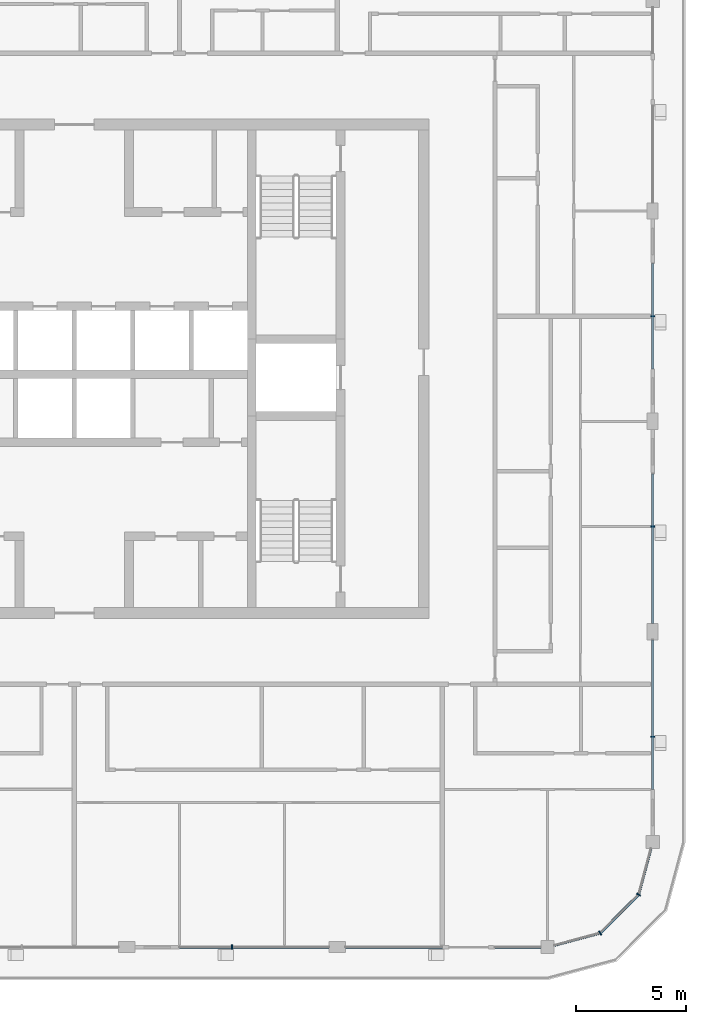
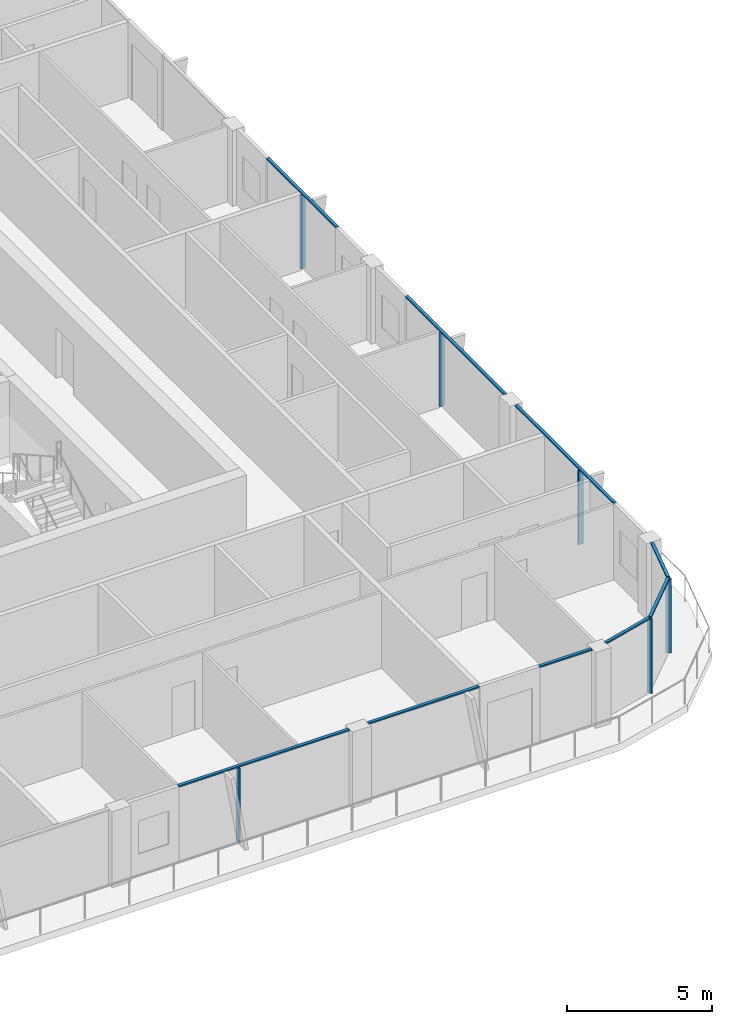
# One storey, part 4 of 21: 15 members, 6 elements without a shape of their own.
"""IFC4 building model written with IfcOpenShell, lengths in metres."""

from ifc_helpers import new_model, si_unit, direction, frame, origin, origin_2d, place, context, subcontext, project, spatial, rectangle, extrude, material, layer, layer_set, material_profile, profile_set, type_object, element, aggregate, save


model = new_model("IFC4")

# Units and contexts
model_context = context("Model", 3, precision=1e-05, world=origin(), true_north=direction((0.0, 1.0)))
body_context = subcontext(model_context, "Body", "Model", "MODEL_VIEW")
ifc_project = project(units=[si_unit("LENGTHUNIT", "METRE"), si_unit("AREAUNIT", "SQUARE_METRE"), si_unit("VOLUMEUNIT", "CUBIC_METRE"), si_unit("PLANEANGLEUNIT", "RADIAN"), si_unit("MASSUNIT", "GRAM", prefix="KILO")], contexts=[model_context])

# Site, building, storey
site_placement = place(None, origin())
site = spatial("IfcSite", under=ifc_project, at=site_placement, CompositionType="ELEMENT")
building_placement = place(site_placement, origin())
building = spatial("IfcBuilding", under=site, at=building_placement, Name="Madar Terraces", CompositionType="ELEMENT")
storey_placement = place(building_placement, frame((0.0, 0.0, 272.10009765625)))
storey = spatial("IfcBuildingStorey", under=building, at=storey_placement, Name="L71", CompositionType="ELEMENT", Elevation=272.10009765625)

# Curtain wall, member
ifc_material_1 = material(Name="Glass, ceramic frit dark grey, with black aluminium frame", Category="aluminium")
ifc_layer = layer(ifc_material_1, 0.199951171875)
ifc_layer_set = layer_set([ifc_layer], Name="Facade curtain wall, fritted glass")
curtain_wall_type = type_object("IfcCurtainWallType", Name="Facade curtain wall, fritted glass", PredefinedType="NOTDEFINED", material=ifc_layer_set)
curtain_wall_1_placement = place(storey_placement, origin())
curtain_wall_1 = element("IfcCurtainWall", 1, at=curtain_wall_1_placement, inside=storey, type_object=curtain_wall_type, Name="Outer skin curtain wall south bay 4", PredefinedType="NOTDEFINED")
ifc_material_2 = material(Name="Aluminium, black anodised", Category="aluminium")
ifc_material_profile_1 = material_profile(ifc_material_2, rectangle(XDim=0.199951171875, YDim=0.06005859375, at=origin_2d()), Name="Facade mullion 60x200")
ifc_profile_set_1 = profile_set([ifc_material_profile_1], Name="Aluminium, black anodised")
member_type_1 = type_object("IfcMemberType", Name="Facade mullion 60x200", PredefinedType="MULLION", material=ifc_profile_set_1)
member_1_placement = place(storey_placement, frame((38.39990234375, 0.0, 0.0), z_axis=(0.0, 0.0, 1.0), x_axis=(0.0, 1.0, 0.0)))
member_1 = element("IfcMember", 2, at=member_1_placement, type_object=member_type_1, Name="Mullion 1", PredefinedType="MULLION", context=body_context, shape_type="SweptSolid", body=[
    extrude(rectangle(XDim=0.199951171875, YDim=0.06005859375, at=origin_2d()), origin(), (0.0, 0.0, 1.0), 3.139892578125),
])

curtain_wall_2_placement = place(storey_placement, origin())
curtain_wall_2 = element("IfcCurtainWall", 3, at=curtain_wall_2_placement, inside=storey, type_object=curtain_wall_type, Name="Outer skin curtain wall east bay 1", PredefinedType="NOTDEFINED")
member_2_placement = place(storey_placement, frame((57.60009765625, 9.60009765625, 0.0), z_axis=(0.0, 0.0, 1.0), x_axis=(-1.0, 0.0, 0.0)))
member_2 = element("IfcMember", 4, at=member_2_placement, type_object=member_type_1, Name="Mullion 1", PredefinedType="MULLION", context=body_context, shape_type="SweptSolid", body=[
    extrude(rectangle(XDim=0.199951171875, YDim=0.06005859375, at=origin_2d()), origin(), (0.0, 0.0, 1.0), 3.139892578125),
])

curtain_wall_3_placement = place(storey_placement, origin())
curtain_wall_3 = element("IfcCurtainWall", 5, at=curtain_wall_3_placement, inside=storey, type_object=curtain_wall_type, Name="Outer skin curtain wall east bay 2", PredefinedType="NOTDEFINED")
member_3_placement = place(storey_placement, frame((57.60009765625, 19.199951171875, 0.0), z_axis=(0.0, 0.0, 1.0), x_axis=(-1.0, 0.0, 0.0)))
member_3 = element("IfcMember", 6, at=member_3_placement, type_object=member_type_1, Name="Mullion 1", PredefinedType="MULLION", context=body_context, shape_type="SweptSolid", body=[
    extrude(rectangle(XDim=0.199951171875, YDim=0.06005859375, at=origin_2d()), origin(), (0.0, 0.0, 1.0), 3.139892578125),
])

curtain_wall_4_placement = place(storey_placement, origin())
curtain_wall_4 = element("IfcCurtainWall", 7, at=curtain_wall_4_placement, inside=storey, type_object=curtain_wall_type, Name="Outer skin curtain wall east bay 3", PredefinedType="NOTDEFINED")
member_4_placement = place(storey_placement, frame((57.60009765625, 28.800048828125, 0.0), z_axis=(0.0, 0.0, 1.0), x_axis=(-1.0, 0.0, 0.0)))
member_4 = element("IfcMember", 8, at=member_4_placement, type_object=member_type_1, Name="Mullion 1", PredefinedType="MULLION", context=body_context, shape_type="SweptSolid", body=[
    extrude(rectangle(XDim=0.199951171875, YDim=0.06005859375, at=origin_2d()), origin(), (0.0, 0.0, 1.0), 3.139892578125),
])

# Curtain wall, members
curtain_wall_5_placement = place(storey_placement, origin())
curtain_wall_5 = element("IfcCurtainWall", 9, at=curtain_wall_5_placement, inside=storey, type_object=curtain_wall_type, Name="Outer skin curtain wall south-east corner", PredefinedType="NOTDEFINED")
member_5_placement = place(storey_placement, frame((55.199951171875, 0.64306640625, 0.0), z_axis=(0.0, 0.0, 1.0), x_axis=(-0.499999989586, 0.866025409797, 0.0)))
member_5 = element("IfcMember", 10, at=member_5_placement, type_object=member_type_1, Name="Mullion 1", PredefinedType="MULLION", context=body_context, shape_type="SweptSolid", body=[
    extrude(rectangle(XDim=0.199951171875, YDim=0.06005859375, at=origin_2d()), origin(), (0.0, 0.0, 1.0), 3.139892578125),
])
member_6_placement = place(storey_placement, frame((56.95703125, 2.39990234375, 0.0), z_axis=(0.0, 0.0, 1.0), x_axis=(-0.866025409797, 0.499999989586, 0.0)))
member_6 = element("IfcMember", 11, at=member_6_placement, type_object=member_type_1, Name="Mullion 2", PredefinedType="MULLION", context=body_context, shape_type="SweptSolid", body=[
    extrude(rectangle(XDim=0.199951171875, YDim=0.06005859375, at=origin_2d()), origin(), (0.0, 0.0, 1.0), 3.139892578125),
])

# Member
ifc_material_3 = material(Name="Aluminium, black anodised", Category="aluminium")
ifc_material_profile_2 = material_profile(ifc_material_3, rectangle(XDim=0.1201171875, YDim=0.06005859375, at=origin_2d()), Name="Facade transom 60x120")
ifc_profile_set_2 = profile_set([ifc_material_profile_2], Name="Aluminium, black anodised")
member_type_2 = type_object("IfcMemberType", Name="Facade transom 60x120", PredefinedType="USERDEFINED", material=ifc_profile_set_2)
member_7_placement = place(storey_placement, frame((36.0, 0.0, 3.169921875), z_axis=(1.0, 0.0, 0.0), x_axis=(0.0, 1.0, 0.0)))
member_7 = element("IfcMember", 12, at=member_7_placement, type_object=member_type_2, Name="Transom 1", ObjectType="TRANSOM", PredefinedType="USERDEFINED", context=body_context, shape_type="SweptSolid", body=[
    extrude(rectangle(XDim=0.1201171875, YDim=0.06005859375, at=origin_2d()), origin(), (0.0, 0.0, 1.0), 6.824951171875),
])

aggregate(curtain_wall_1, [member_1, member_7])

# Curtain wall, members
curtain_wall_6_placement = place(storey_placement, origin())
curtain_wall_6 = element("IfcCurtainWall", 13, at=curtain_wall_6_placement, inside=storey, type_object=curtain_wall_type, Name="Outer skin curtain wall south bay 5", PredefinedType="NOTDEFINED")
member_8_placement = place(storey_placement, frame((43.574951171875, 0.0, 3.169921875), z_axis=(1.0, 0.0, 0.0), x_axis=(0.0, 1.0, 0.0)))
member_8 = element("IfcMember", 14, at=member_8_placement, type_object=member_type_2, Name="Transom 1", ObjectType="TRANSOM", PredefinedType="USERDEFINED", context=body_context, shape_type="SweptSolid", body=[
    extrude(rectangle(XDim=0.1201171875, YDim=0.06005859375, at=origin_2d()), origin(), (0.0, 0.0, 1.0), 4.425048828125),
])
member_9_placement = place(storey_placement, frame((50.39990234375, 0.0, 3.169921875), z_axis=(1.0, 0.0, 0.0), x_axis=(0.0, 1.0, 0.0)))
member_9 = element("IfcMember", 15, at=member_9_placement, type_object=member_type_2, Name="Transom 2", ObjectType="TRANSOM", PredefinedType="USERDEFINED", context=body_context, shape_type="SweptSolid", body=[
    extrude(rectangle(XDim=0.1201171875, YDim=0.06005859375, at=origin_2d()), origin(), (0.0, 0.0, 1.0), 2.10009765625),
])
aggregate(curtain_wall_6, [member_8, member_9])

# Member
member_10_placement = place(storey_placement, frame((57.60009765625, 7.199951171875, 3.169921875), z_axis=(0.0, 1.0, 0.0), x_axis=(-1.0, 0.0, 0.0)))
member_10 = element("IfcMember", 16, at=member_10_placement, type_object=member_type_2, Name="Transom 1", ObjectType="TRANSOM", PredefinedType="USERDEFINED", context=body_context, shape_type="SweptSolid", body=[
    extrude(rectangle(XDim=0.1201171875, YDim=0.06005859375, at=origin_2d()), origin(), (0.0, 0.0, 1.0), 6.824951171875),
])

aggregate(curtain_wall_2, [member_2, member_10])

member_11_placement = place(storey_placement, frame((57.60009765625, 14.77490234375, 3.169921875), z_axis=(0.0, 1.0, 0.0), x_axis=(-1.0, 0.0, 0.0)))
member_11 = element("IfcMember", 17, at=member_11_placement, type_object=member_type_2, Name="Transom 1", ObjectType="TRANSOM", PredefinedType="USERDEFINED", context=body_context, shape_type="SweptSolid", body=[
    extrude(rectangle(XDim=0.1201171875, YDim=0.06005859375, at=origin_2d()), origin(), (0.0, 0.0, 1.0), 6.8251953125),
])

aggregate(curtain_wall_3, [member_3, member_11])

member_12_placement = place(storey_placement, frame((57.60009765625, 26.39990234375, 3.169921875), z_axis=(0.0, 1.0, 0.0), x_axis=(-1.0, 0.0, 0.0)))
member_12 = element("IfcMember", 18, at=member_12_placement, type_object=member_type_2, Name="Transom 1", ObjectType="TRANSOM", PredefinedType="USERDEFINED", context=body_context, shape_type="SweptSolid", body=[
    extrude(rectangle(XDim=0.1201171875, YDim=0.06005859375, at=origin_2d()), origin(), (0.0, 0.0, 1.0), 4.800048828125),
])

aggregate(curtain_wall_4, [member_4, member_12])

member_13_placement = place(storey_placement, frame((53.10009765625, 0.080322265625, 3.169921875), z_axis=(0.965926196336, 0.258817664066, 0.0), x_axis=(-0.258817664066, 0.965926196336, 0.0)))
member_13 = element("IfcMember", 19, at=member_13_placement, type_object=member_type_2, Name="Transom 1", ObjectType="TRANSOM", PredefinedType="USERDEFINED", context=body_context, shape_type="SweptSolid", body=[
    extrude(rectangle(XDim=0.1201171875, YDim=0.06005859375, at=origin_2d()), origin(), (0.0, 0.0, 1.0), 2.14404296875),
])

member_14_placement = place(storey_placement, frame((55.22119140625, 0.664306640625, 3.169921875), z_axis=(0.707106781187, 0.707106781187, 0.0), x_axis=(-0.707106781187, 0.707106781187, 0.0)))
member_14 = element("IfcMember", 20, at=member_14_placement, type_object=member_type_2, Name="Transom 2", ObjectType="TRANSOM", PredefinedType="USERDEFINED", context=body_context, shape_type="SweptSolid", body=[
    extrude(rectangle(XDim=0.1201171875, YDim=0.06005859375, at=origin_2d()), origin(), (0.0, 0.0, 1.0), 2.4248046875),
])

member_15_placement = place(storey_placement, frame((56.964599609375, 2.428955078125, 3.169921875), z_axis=(0.258817664066, 0.965926196336, 0.0), x_axis=(-0.965926196336, 0.258817664066, 0.0)))
member_15 = element("IfcMember", 21, at=member_15_placement, type_object=member_type_2, Name="Transom 3", ObjectType="TRANSOM", PredefinedType="USERDEFINED", context=body_context, shape_type="SweptSolid", body=[
    extrude(rectangle(XDim=0.1201171875, YDim=0.06005859375, at=origin_2d()), origin(), (0.0, 0.0, 1.0), 2.14404296875),
])

aggregate(curtain_wall_5, [member_5, member_13, member_6, member_14, member_15])

save(model, "model.ifc")
